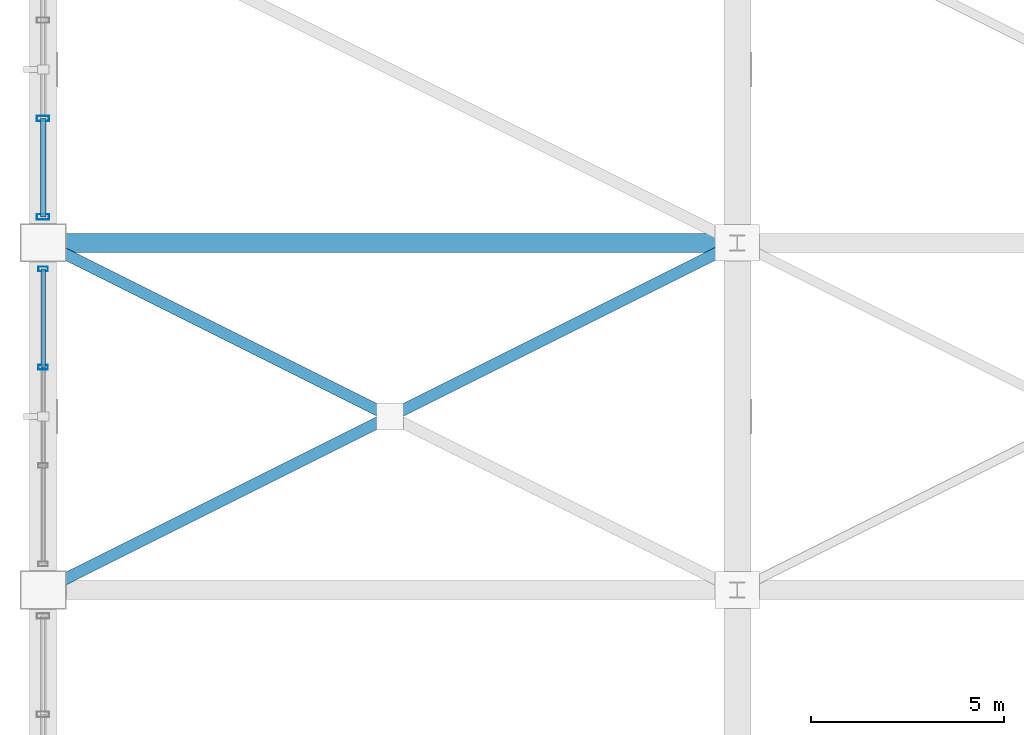
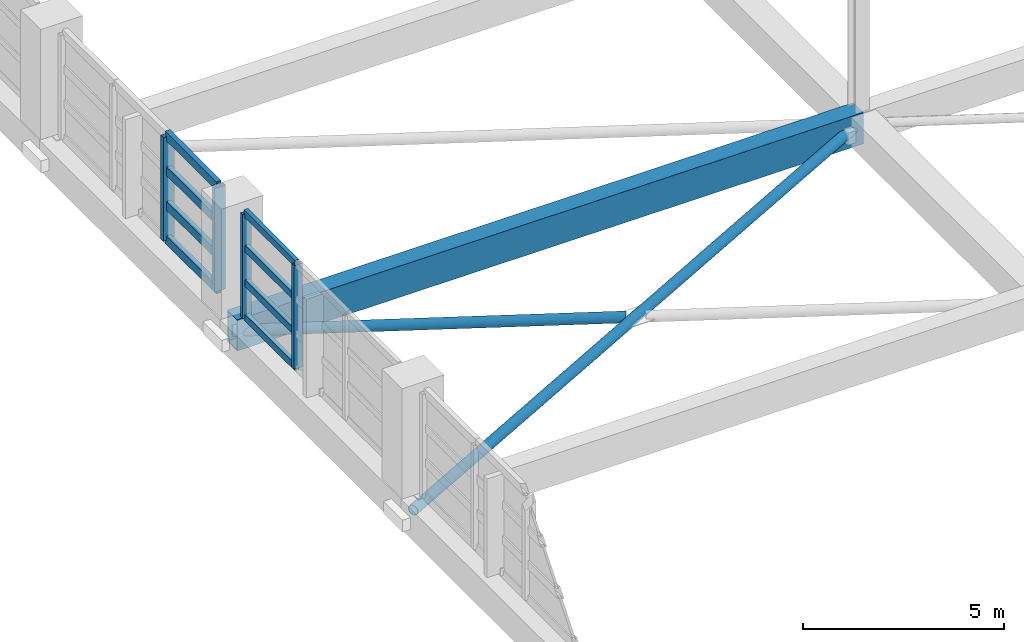
# One storey, part 40 of 116: 14 members, 1 beam, 2 elements without a shape of their own.
"""IFC4 building model written with IfcOpenShell, lengths in metres."""

from ifc_helpers import new_model, si_unit, direction, frame, origin, origin_2d, place, context, subcontext, project, spatial, hollow_rectangle, hollow_circle, extrude, material, material_profile, profile_set, type_object, element, aggregate, save


model = new_model("IFC4")

# Units and contexts
model_context = context("Model", 3, precision=1e-05, world=origin(), true_north=direction((0.0, 1.0)))
body_context = subcontext(model_context, "Body", "Model", "MODEL_VIEW")
ifc_project = project(units=[si_unit("LENGTHUNIT", "METRE"), si_unit("AREAUNIT", "SQUARE_METRE"), si_unit("VOLUMEUNIT", "CUBIC_METRE"), si_unit("PLANEANGLEUNIT", "RADIAN"), si_unit("MASSUNIT", "GRAM", prefix="KILO")], contexts=[model_context])

# Site, building, storey
site_placement = place(None, origin())
site = spatial("IfcSite", under=ifc_project, at=site_placement, CompositionType="ELEMENT")
building_placement = place(site_placement, origin())
building = spatial("IfcBuilding", under=site, at=building_placement, Name="Chuanluo Vaults Station", CompositionType="ELEMENT")
storey_placement = place(building_placement, frame((0.0, 0.0, 10.800048828125)))
storey = spatial("IfcBuildingStorey", under=building, at=storey_placement, Name="L02", CompositionType="ELEMENT", Elevation=10.800048828125)

# Beam
ifc_material_1 = material(Name="Steel Q390C", Category="steel")
ifc_material_profile_1 = material_profile(ifc_material_1, hollow_rectangle(XDim=0.5, YDim=0.949951171875, WallThickness=0.028076171875, at=origin_2d()))
ifc_profile_set_1 = profile_set([ifc_material_profile_1], Name="Steel Q390C")
beam_type = type_object("IfcBeamType", Name="BM-TT-TIE", PredefinedType="USERDEFINED", material=ifc_profile_set_1)
beam_placement = place(storey_placement, frame((0.0, 85.5, -0.85009765625), z_axis=(1.0, 0.0, 0.0), x_axis=(0.0, 1.0, 0.0)))
element("IfcBeam", 1, at=beam_placement, inside=storey, type_object=beam_type, Name="Transfer truss top tie girder 1-85", ObjectType="GIRDER", PredefinedType="USERDEFINED", context=body_context, shape_type="SweptSolid", body=[
    extrude(hollow_rectangle(XDim=0.5, YDim=0.949951171875, WallThickness=0.028076171875, at=origin_2d()), origin(), (0.0, 0.0, 1.0), 18.0),
])

# Curtain wall, members
ifc_material_2 = material(Name="Anodised aluminium 6063-T6", Category="aluminium")
curtain_wall_type_1 = type_object("IfcCurtainWallType", Name="CW-SYS-15", PredefinedType="NOTDEFINED", material=ifc_material_2)
curtain_wall_1_placement = place(storey_placement, origin())
curtain_wall_1 = element("IfcCurtainWall", 2, at=curtain_wall_1_placement, inside=storey, type_object=curtain_wall_type_1, Name="Train shed west clerestory CW 76", PredefinedType="NOTDEFINED")
ifc_material_3 = material(Name="Anodised aluminium 6063-T6", Category="aluminium")
ifc_material_profile_2 = material_profile(ifc_material_3, hollow_rectangle(XDim=0.1201171875, YDim=0.25, WallThickness=0.006103515625, at=origin_2d()))
ifc_profile_set_2 = profile_set([ifc_material_profile_2], Name="Anodised aluminium 6063-T6")
member_type_1 = type_object("IfcMemberType", Name="CWM-160", PredefinedType="MULLION", material=ifc_profile_set_2)
member_1_placement = place(storey_placement, frame((0.0, 82.27490234375, 0.0), z_axis=(0.0, 0.0, 1.0), x_axis=(0.0, 1.0, 0.0)))
member_1 = element("IfcMember", 3, at=member_1_placement, type_object=member_type_1, Name="Train shed west clerestory CW 76 mullion 3", PredefinedType="MULLION", context=body_context, shape_type="SweptSolid", body=[
    extrude(hollow_rectangle(XDim=0.1201171875, YDim=0.25, WallThickness=0.006103515625, at=origin_2d()), origin(), (0.0, 0.0, 1.0), 3.14990234375),
])
member_2_placement = place(storey_placement, frame((0.0, 84.824951171875, 0.0), z_axis=(0.0, 0.0, 1.0), x_axis=(0.0, 1.0, 0.0)))
member_2 = element("IfcMember", 4, at=member_2_placement, type_object=member_type_1, Name="Train shed west clerestory CW 76 mullion 4", PredefinedType="MULLION", context=body_context, shape_type="SweptSolid", body=[
    extrude(hollow_rectangle(XDim=0.1201171875, YDim=0.25, WallThickness=0.006103515625, at=origin_2d()), origin(), (0.0, 0.0, 1.0), 3.14990234375),
])

ifc_material_4 = material(Name="Anodised aluminium 6063-T6", Category="aluminium")
curtain_wall_type_2 = type_object("IfcCurtainWallType", Name="CW-SYS-17", PredefinedType="NOTDEFINED", material=ifc_material_4)
curtain_wall_2_placement = place(storey_placement, origin())
curtain_wall_2 = element("IfcCurtainWall", 5, at=curtain_wall_2_placement, inside=storey, type_object=curtain_wall_type_2, Name="Train shed west clerestory CW 85", PredefinedType="NOTDEFINED")
ifc_material_5 = material(Name="Anodised aluminium 6063-T6", Category="aluminium")
ifc_material_profile_3 = material_profile(ifc_material_5, hollow_rectangle(XDim=0.139892578125, YDim=0.320068359375, WallThickness=0.008056640625, at=origin_2d()))
ifc_profile_set_3 = profile_set([ifc_material_profile_3], Name="Anodised aluminium 6063-T6")
member_type_2 = type_object("IfcMemberType", Name="CWM-220", PredefinedType="MULLION", material=ifc_profile_set_3)
member_3_placement = place(storey_placement, frame((0.0, 86.175048828125, 0.0), z_axis=(0.0, 0.0, 1.0), x_axis=(0.0, 1.0, 0.0)))
member_3 = element("IfcMember", 6, at=member_3_placement, type_object=member_type_2, Name="Train shed west clerestory CW 85 mullion 1", PredefinedType="MULLION", context=body_context, shape_type="SweptSolid", body=[
    extrude(hollow_rectangle(XDim=0.139892578125, YDim=0.320068359375, WallThickness=0.008056640625, at=origin_2d()), origin(), (0.0, 0.0, 1.0), 3.14990234375),
])
member_4_placement = place(storey_placement, frame((0.0, 88.72509765625, 0.0), z_axis=(0.0, 0.0, 1.0), x_axis=(0.0, 1.0, 0.0)))
member_4 = element("IfcMember", 7, at=member_4_placement, type_object=member_type_2, Name="Train shed west clerestory CW 85 mullion 2", PredefinedType="MULLION", context=body_context, shape_type="SweptSolid", body=[
    extrude(hollow_rectangle(XDim=0.139892578125, YDim=0.320068359375, WallThickness=0.008056640625, at=origin_2d()), origin(), (0.0, 0.0, 1.0), 3.14990234375),
])

# Member
ifc_material_6 = material(Name="Anodised aluminium 6063-T6", Category="aluminium")
ifc_material_profile_4 = material_profile(ifc_material_6, hollow_rectangle(XDim=0.1201171875, YDim=0.205078125, WallThickness=0.006103515625, at=origin_2d()))
ifc_profile_set_4 = profile_set([ifc_material_profile_4], Name="Anodised aluminium 6063-T6")
member_type_3 = type_object("IfcMemberType", Name="CWT-130", PredefinedType="USERDEFINED", material=ifc_profile_set_4)
member_5_placement = place(storey_placement, frame((0.0, 82.27490234375, 0.0), z_axis=(0.0, 1.0, 0.0), x_axis=(-1.0, 0.0, 0.0)))
member_5 = element("IfcMember", 8, at=member_5_placement, type_object=member_type_3, Name="Train shed west clerestory CW 76 transom 3.1", ObjectType="TRANSOM", PredefinedType="USERDEFINED", context=body_context, shape_type="SweptSolid", body=[
    extrude(hollow_rectangle(XDim=0.1201171875, YDim=0.205078125, WallThickness=0.006103515625, at=origin_2d()), origin(), (0.0, 0.0, 1.0), 2.550048828125),
])

member_6_placement = place(storey_placement, frame((0.0, 82.27490234375, 1.050048828125), z_axis=(0.0, 1.0, 0.0), x_axis=(-1.0, 0.0, 0.0)))
member_6 = element("IfcMember", 9, at=member_6_placement, type_object=member_type_3, Name="Train shed west clerestory CW 76 transom 3.2", ObjectType="TRANSOM", PredefinedType="USERDEFINED", context=body_context, shape_type="SweptSolid", body=[
    extrude(hollow_rectangle(XDim=0.1201171875, YDim=0.205078125, WallThickness=0.006103515625, at=origin_2d()), origin(), (0.0, 0.0, 1.0), 2.550048828125),
])

member_7_placement = place(storey_placement, frame((0.0, 82.27490234375, 2.099853515625), z_axis=(0.0, 1.0, 0.0), x_axis=(-1.0, 0.0, 0.0)))
member_7 = element("IfcMember", 10, at=member_7_placement, type_object=member_type_3, Name="Train shed west clerestory CW 76 transom 3.3", ObjectType="TRANSOM", PredefinedType="USERDEFINED", context=body_context, shape_type="SweptSolid", body=[
    extrude(hollow_rectangle(XDim=0.1201171875, YDim=0.205078125, WallThickness=0.006103515625, at=origin_2d()), origin(), (0.0, 0.0, 1.0), 2.550048828125),
])

member_8_placement = place(storey_placement, frame((0.0, 82.27490234375, 3.14990234375), z_axis=(0.0, 1.0, 0.0), x_axis=(-1.0, 0.0, 0.0)))
member_8 = element("IfcMember", 11, at=member_8_placement, type_object=member_type_3, Name="Train shed west clerestory CW 76 transom 3.4", ObjectType="TRANSOM", PredefinedType="USERDEFINED", context=body_context, shape_type="SweptSolid", body=[
    extrude(hollow_rectangle(XDim=0.1201171875, YDim=0.205078125, WallThickness=0.006103515625, at=origin_2d()), origin(), (0.0, 0.0, 1.0), 2.550048828125),
])

aggregate(curtain_wall_1, [member_1, member_2, member_5, member_6, member_7, member_8])

ifc_material_7 = material(Name="Anodised aluminium 6063-T6", Category="aluminium")
ifc_material_profile_5 = material_profile(ifc_material_7, hollow_rectangle(XDim=0.139892578125, YDim=0.260009765625, WallThickness=0.007080078125, at=origin_2d()))
ifc_profile_set_5 = profile_set([ifc_material_profile_5], Name="Anodised aluminium 6063-T6")
member_type_4 = type_object("IfcMemberType", Name="CWT-180", PredefinedType="USERDEFINED", material=ifc_profile_set_5)
member_9_placement = place(storey_placement, frame((0.0, 86.175048828125, 0.0), z_axis=(0.0, 1.0, 0.0), x_axis=(-1.0, 0.0, 0.0)))
member_9 = element("IfcMember", 12, at=member_9_placement, type_object=member_type_4, Name="Train shed west clerestory CW 85 transom 1.1", ObjectType="TRANSOM", PredefinedType="USERDEFINED", context=body_context, shape_type="SweptSolid", body=[
    extrude(hollow_rectangle(XDim=0.139892578125, YDim=0.260009765625, WallThickness=0.007080078125, at=origin_2d()), origin(), (0.0, 0.0, 1.0), 2.550048828125),
])

member_10_placement = place(storey_placement, frame((0.0, 86.175048828125, 1.050048828125), z_axis=(0.0, 1.0, 0.0), x_axis=(-1.0, 0.0, 0.0)))
member_10 = element("IfcMember", 13, at=member_10_placement, type_object=member_type_4, Name="Train shed west clerestory CW 85 transom 1.2", ObjectType="TRANSOM", PredefinedType="USERDEFINED", context=body_context, shape_type="SweptSolid", body=[
    extrude(hollow_rectangle(XDim=0.139892578125, YDim=0.260009765625, WallThickness=0.007080078125, at=origin_2d()), origin(), (0.0, 0.0, 1.0), 2.550048828125),
])

member_11_placement = place(storey_placement, frame((0.0, 86.175048828125, 2.099853515625), z_axis=(0.0, 1.0, 0.0), x_axis=(-1.0, 0.0, 0.0)))
member_11 = element("IfcMember", 14, at=member_11_placement, type_object=member_type_4, Name="Train shed west clerestory CW 85 transom 1.3", ObjectType="TRANSOM", PredefinedType="USERDEFINED", context=body_context, shape_type="SweptSolid", body=[
    extrude(hollow_rectangle(XDim=0.139892578125, YDim=0.260009765625, WallThickness=0.007080078125, at=origin_2d()), origin(), (0.0, 0.0, 1.0), 2.550048828125),
])

member_12_placement = place(storey_placement, frame((0.0, 86.175048828125, 3.14990234375), z_axis=(0.0, 1.0, 0.0), x_axis=(-1.0, 0.0, 0.0)))
member_12 = element("IfcMember", 15, at=member_12_placement, type_object=member_type_4, Name="Train shed west clerestory CW 85 transom 1.4", ObjectType="TRANSOM", PredefinedType="USERDEFINED", context=body_context, shape_type="SweptSolid", body=[
    extrude(hollow_rectangle(XDim=0.139892578125, YDim=0.260009765625, WallThickness=0.007080078125, at=origin_2d()), origin(), (0.0, 0.0, 1.0), 2.550048828125),
])

aggregate(curtain_wall_2, [member_3, member_4, member_9, member_10, member_11, member_12])

# Members
ifc_material_8 = material(Name="Steel Q355C", Category="steel")
ifc_material_profile_6 = material_profile(ifc_material_8, hollow_circle(Radius=0.1494140625, WallThickness=0.011962890625, at=origin_2d()))
ifc_profile_set_6 = profile_set([ifc_material_profile_6], Name="Steel Q355C")
member_type_5 = type_object("IfcMemberType", Name="MEM-CHS-299", PredefinedType="BRACE", material=ifc_profile_set_6)
member_13_placement = place(storey_placement, frame((0.0, 76.5, -0.85009765625), z_axis=(0.894427191, 0.4472135955, 0.0), x_axis=(-0.4472135955, 0.894427191, 0.0)))
element("IfcMember", 16, at=member_13_placement, inside=storey, type_object=member_type_5, Name="Over-track diaphragm brace 1-76", PredefinedType="BRACE", context=body_context, shape_type="SweptSolid", body=[
    extrude(hollow_circle(Radius=0.1494140625, WallThickness=0.011962890625, at=origin_2d()), origin(), (0.0, 0.0, 1.0), 20.12451171875),
])
member_14_placement = place(storey_placement, frame((0.0, 85.5, -0.85009765625), z_axis=(0.894432165125, -0.447203647112, 0.0), x_axis=(0.447203647112, 0.894432165125, 0.0)))
element("IfcMember", 17, at=member_14_placement, inside=storey, type_object=member_type_5, Name="Over-track diaphragm split X-brace 1-85A", PredefinedType="BRACE", context=body_context, shape_type="SweptSolid", body=[
    extrude(hollow_circle(Radius=0.1494140625, WallThickness=0.011962890625, at=origin_2d()), origin(), (0.0, 0.0, 1.0), 9.81640625),
])

save(model, "model.ifc")
